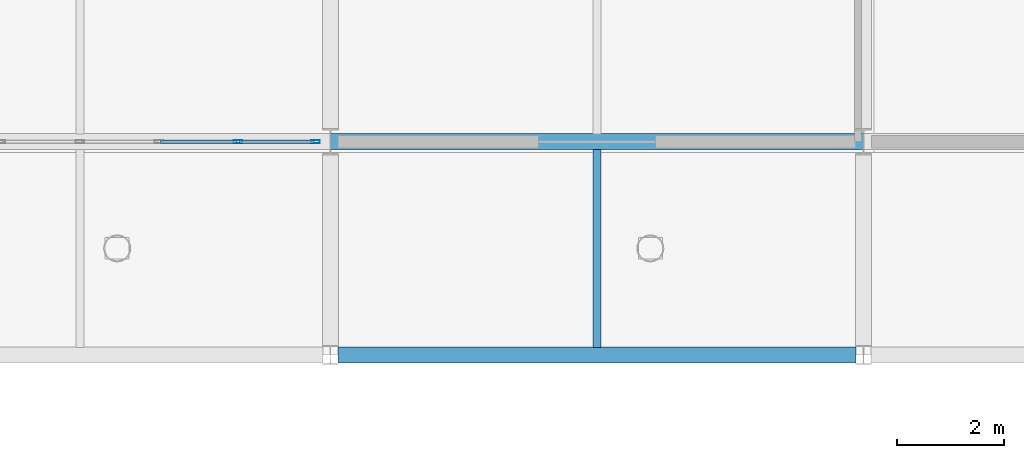
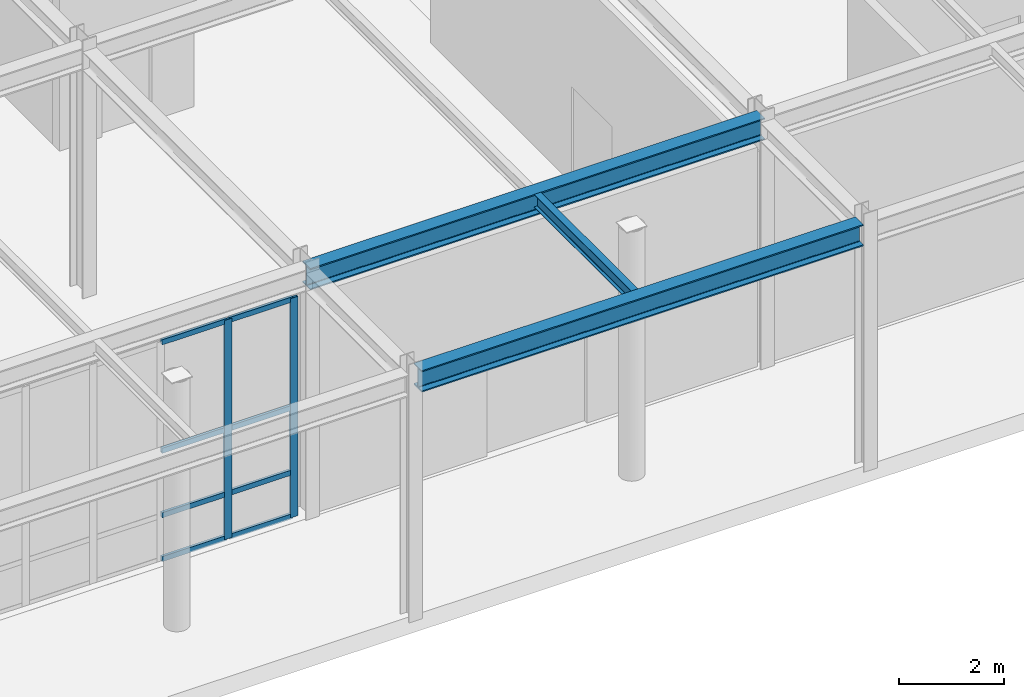
# One storey, part 73 of 146: 10 members, 3 beams, 1 element without a shape of its own.
"""IFC4 building model written with IfcOpenShell, lengths in metres."""

from ifc_helpers import new_model, si_unit, direction, frame, origin, origin_2d, place, context, subcontext, project, spatial, hollow_rectangle, i_section, extrude, material, material_profile, profile_set, type_object, element, aggregate, save


model = new_model("IFC4")

# Units and contexts
model_context = context("Model", 3, precision=1e-05, world=origin(), true_north=direction((0.0, 1.0)))
body_context = subcontext(model_context, "Body", "Model", "MODEL_VIEW")
ifc_project = project(units=[si_unit("LENGTHUNIT", "METRE"), si_unit("AREAUNIT", "SQUARE_METRE"), si_unit("VOLUMEUNIT", "CUBIC_METRE"), si_unit("PLANEANGLEUNIT", "RADIAN"), si_unit("MASSUNIT", "GRAM", prefix="KILO")], contexts=[model_context])

# Site, building, storey
site_placement = place(None, origin())
site = spatial("IfcSite", under=ifc_project, at=site_placement, CompositionType="ELEMENT")
building_placement = place(site_placement, origin())
building = spatial("IfcBuilding", under=site, at=building_placement, Name="Kaldris Quays Convention Centre", CompositionType="ELEMENT")
storey_placement = place(building_placement, origin())
storey = spatial("IfcBuildingStorey", under=building, at=storey_placement, Name="L00", CompositionType="ELEMENT", Elevation=0.0)

# Curtain wall, members
ifc_material_1 = material(Name="Anodized aluminium AW-6060 and triple glazing", Category="aluminium")
curtain_wall_type = type_object("IfcCurtainWallType", Name="UNITISED CURTAIN WALL CW01", PredefinedType="NOTDEFINED", material=ifc_material_1)
curtain_wall_placement = place(storey_placement, origin())
curtain_wall = element("IfcCurtainWall", 1, at=curtain_wall_placement, inside=storey, type_object=curtain_wall_type, Name="L00 Unitised Curtain Wall CW01 180", PredefinedType="NOTDEFINED")
ifc_material_2 = material(Name="Anodized aluminium AW-6060", Category="aluminium")
ifc_material_profile_1 = material_profile(ifc_material_2, hollow_rectangle(XDim=0.06005859375, YDim=0.159912109375, WallThickness=0.00390625, at=origin_2d()), Name="RHS 160x60x4")
ifc_profile_set_1 = profile_set([ifc_material_profile_1], Name="Anodized aluminium AW-6060")
member_type_1 = type_object("IfcMemberType", Name="CURTAIN MULLION CWM1", PredefinedType="MULLION", material=ifc_profile_set_1)
member_1_placement = place(storey_placement, frame((172.2666015625, 20.0, 0.0), z_axis=(0.0, 0.0, 1.0), x_axis=(0.0, 1.0, 0.0)))
member_1 = element("IfcMember", 2, at=member_1_placement, type_object=member_type_1, Name="CW01 mullion 6", PredefinedType="MULLION", context=body_context, shape_type="SweptSolid", body=[
    extrude(hollow_rectangle(XDim=0.06005859375, YDim=0.159912109375, WallThickness=0.00390625, at=origin_2d()), origin(), (0.0, 0.0, 1.0), 5.10009765625),
])
member_2_placement = place(storey_placement, frame((173.719970703125, 20.0, 0.0), z_axis=(0.0, 0.0, 1.0), x_axis=(0.0, 1.0, 0.0)))
member_2 = element("IfcMember", 3, at=member_2_placement, type_object=member_type_1, Name="CW01 mullion 7", PredefinedType="MULLION", context=body_context, shape_type="SweptSolid", body=[
    extrude(hollow_rectangle(XDim=0.06005859375, YDim=0.159912109375, WallThickness=0.00390625, at=origin_2d()), origin(), (0.0, 0.0, 1.0), 5.10009765625),
])
ifc_material_profile_2 = material_profile(ifc_material_2, hollow_rectangle(XDim=0.06005859375, YDim=0.1201171875, WallThickness=0.00390625, at=origin_2d()), Name="RHS 120x60x4")
ifc_profile_set_2 = profile_set([ifc_material_profile_2], Name="Anodized aluminium AW-6060")
member_type_2 = type_object("IfcMemberType", Name="CURTAIN TRANSOM CWT1", PredefinedType="USERDEFINED", material=ifc_profile_set_2)
member_3_placement = place(storey_placement, frame((170.813232421875, 20.0, 0.030029296875), z_axis=(1.0, 0.0, 0.0), x_axis=(0.0, 1.0, 0.0)))
member_3 = element("IfcMember", 4, at=member_3_placement, type_object=member_type_2, Name="CW01 transom 5.1", ObjectType="TRANSOM", PredefinedType="USERDEFINED", context=body_context, shape_type="SweptSolid", body=[
    extrude(hollow_rectangle(XDim=0.06005859375, YDim=0.1201171875, WallThickness=0.00390625, at=origin_2d()), origin(), (0.0, 0.0, 1.0), 1.42333984375),
])
member_4_placement = place(storey_placement, frame((170.813232421875, 20.0, 1.050048828125), z_axis=(1.0, 0.0, 0.0), x_axis=(0.0, 1.0, 0.0)))
member_4 = element("IfcMember", 5, at=member_4_placement, type_object=member_type_2, Name="CW01 transom 5.2", ObjectType="TRANSOM", PredefinedType="USERDEFINED", context=body_context, shape_type="SweptSolid", body=[
    extrude(hollow_rectangle(XDim=0.06005859375, YDim=0.1201171875, WallThickness=0.00390625, at=origin_2d()), origin(), (0.0, 0.0, 1.0), 1.42333984375),
])
member_5_placement = place(storey_placement, frame((170.813232421875, 20.0, 2.550048828125), z_axis=(1.0, 0.0, 0.0), x_axis=(0.0, 1.0, 0.0)))
member_5 = element("IfcMember", 6, at=member_5_placement, type_object=member_type_2, Name="CW01 transom 5.3", ObjectType="TRANSOM", PredefinedType="USERDEFINED", context=body_context, shape_type="SweptSolid", body=[
    extrude(hollow_rectangle(XDim=0.06005859375, YDim=0.1201171875, WallThickness=0.00390625, at=origin_2d()), origin(), (0.0, 0.0, 1.0), 1.42333984375),
])
member_6_placement = place(storey_placement, frame((170.813232421875, 20.0, 5.070068359375), z_axis=(1.0, 0.0, 0.0), x_axis=(0.0, 1.0, 0.0)))
member_6 = element("IfcMember", 7, at=member_6_placement, type_object=member_type_2, Name="CW01 transom 5.4", ObjectType="TRANSOM", PredefinedType="USERDEFINED", context=body_context, shape_type="SweptSolid", body=[
    extrude(hollow_rectangle(XDim=0.06005859375, YDim=0.1201171875, WallThickness=0.00390625, at=origin_2d()), origin(), (0.0, 0.0, 1.0), 1.42333984375),
])
member_7_placement = place(storey_placement, frame((172.296630859375, 20.0, 0.030029296875), z_axis=(1.0, 0.0, 0.0), x_axis=(0.0, 1.0, 0.0)))
member_7 = element("IfcMember", 8, at=member_7_placement, type_object=member_type_2, Name="CW01 transom 6.1", ObjectType="TRANSOM", PredefinedType="USERDEFINED", context=body_context, shape_type="SweptSolid", body=[
    extrude(hollow_rectangle(XDim=0.06005859375, YDim=0.1201171875, WallThickness=0.00390625, at=origin_2d()), origin(), (0.0, 0.0, 1.0), 1.393310546875),
])
member_8_placement = place(storey_placement, frame((172.296630859375, 20.0, 1.050048828125), z_axis=(1.0, 0.0, 0.0), x_axis=(0.0, 1.0, 0.0)))
member_8 = element("IfcMember", 9, at=member_8_placement, type_object=member_type_2, Name="CW01 transom 6.2", ObjectType="TRANSOM", PredefinedType="USERDEFINED", context=body_context, shape_type="SweptSolid", body=[
    extrude(hollow_rectangle(XDim=0.06005859375, YDim=0.1201171875, WallThickness=0.00390625, at=origin_2d()), origin(), (0.0, 0.0, 1.0), 1.393310546875),
])
member_9_placement = place(storey_placement, frame((172.296630859375, 20.0, 2.550048828125), z_axis=(1.0, 0.0, 0.0), x_axis=(0.0, 1.0, 0.0)))
member_9 = element("IfcMember", 10, at=member_9_placement, type_object=member_type_2, Name="CW01 transom 6.3", ObjectType="TRANSOM", PredefinedType="USERDEFINED", context=body_context, shape_type="SweptSolid", body=[
    extrude(hollow_rectangle(XDim=0.06005859375, YDim=0.1201171875, WallThickness=0.00390625, at=origin_2d()), origin(), (0.0, 0.0, 1.0), 1.393310546875),
])
member_10_placement = place(storey_placement, frame((172.296630859375, 20.0, 5.070068359375), z_axis=(1.0, 0.0, 0.0), x_axis=(0.0, 1.0, 0.0)))
member_10 = element("IfcMember", 11, at=member_10_placement, type_object=member_type_2, Name="CW01 transom 6.4", ObjectType="TRANSOM", PredefinedType="USERDEFINED", context=body_context, shape_type="SweptSolid", body=[
    extrude(hollow_rectangle(XDim=0.06005859375, YDim=0.1201171875, WallThickness=0.00390625, at=origin_2d()), origin(), (0.0, 0.0, 1.0), 1.393310546875),
])
aggregate(curtain_wall, [member_1, member_2, member_3, member_4, member_5, member_6, member_7, member_8, member_9, member_10])

# Beams
ifc_material_3 = material(Name="Steel S355J2", Category="steel")
ifc_material_profile_3 = material_profile(ifc_material_3, i_section(OverallWidth=0.300048828125, OverallDepth=0.5, WebThickness=0.014404296875, FlangeThickness=0.028076171875, FilletRadius=0.027099609375, at=origin_2d()), Name="HEB 500")
ifc_profile_set_3 = profile_set([ifc_material_profile_3], Name="Steel S355J2")
beam_type_1 = type_object("IfcBeamType", Name="STRUCTURAL BEAM BM06", PredefinedType="BEAM", material=ifc_profile_set_3)
beam_1_placement = place(storey_placement, frame((174.14404296875, 16.0, 5.4951171875), z_axis=(1.0, 0.0, 0.0), x_axis=(0.0, 1.0, 0.0)))
element("IfcBeam", 12, at=beam_1_placement, inside=storey, type_object=beam_type_1, Name="L00 Girder BM06 3", PredefinedType="BEAM", context=body_context, shape_type="SweptSolid", body=[
    extrude(i_section(OverallWidth=0.300048828125, OverallDepth=0.5, WebThickness=0.014404296875, FlangeThickness=0.028076171875, FilletRadius=0.027099609375, at=origin_2d()), origin(), (0.0, 0.0, 1.0), 9.7119140625),
])
beam_2_placement = place(storey_placement, frame((174.001220703125, 20.0, 5.492919921875), z_axis=(1.0, 0.0, 0.0), x_axis=(0.0, 1.0, 0.0)))
element("IfcBeam", 13, at=beam_2_placement, inside=storey, type_object=beam_type_1, Name="L00 Girder BM06 8", PredefinedType="BEAM", context=body_context, shape_type="SweptSolid", body=[
    extrude(i_section(OverallWidth=0.300048828125, OverallDepth=0.5, WebThickness=0.014404296875, FlangeThickness=0.028076171875, FilletRadius=0.027099609375, at=origin_2d()), origin(), (0.0, 0.0, 1.0), 9.99755859375),
])
ifc_material_profile_4 = material_profile(ifc_material_3, i_section(OverallWidth=0.14990234375, OverallDepth=0.300048828125, WebThickness=0.007080078125, FlangeThickness=0.0107421875, FilletRadius=0.014892578125, at=origin_2d()), Name="IPE 300")
ifc_profile_set_4 = profile_set([ifc_material_profile_4], Name="Steel S355J2")
beam_type_2 = type_object("IfcBeamType", Name="STRUCTURAL BEAM JT04", PredefinedType="JOIST", material=ifc_profile_set_4)
beam_3_placement = place(storey_placement, frame((179.0, 16.14404296875, 5.593017578125), z_axis=(0.0, 1.0, 0.0), x_axis=(-1.0, 0.0, 0.0)))
element("IfcBeam", 14, at=beam_3_placement, inside=storey, type_object=beam_type_2, Name="L00 Secondary Joist JT04 3", PredefinedType="JOIST", context=body_context, shape_type="SweptSolid", body=[
    extrude(i_section(OverallWidth=0.14990234375, OverallDepth=0.300048828125, WebThickness=0.007080078125, FlangeThickness=0.0107421875, FilletRadius=0.014892578125, at=origin_2d()), origin(), (0.0, 0.0, 1.0), 3.7119140625),
])

save(model, "model.ifc")
